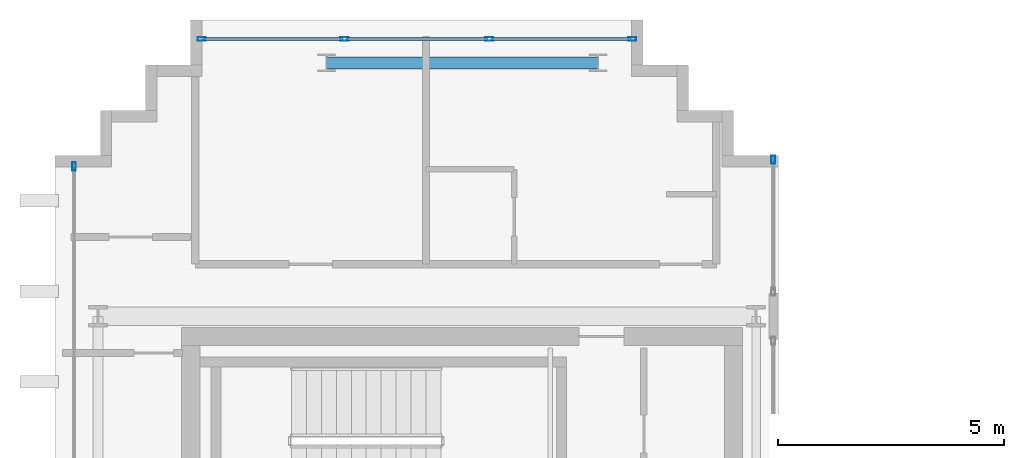
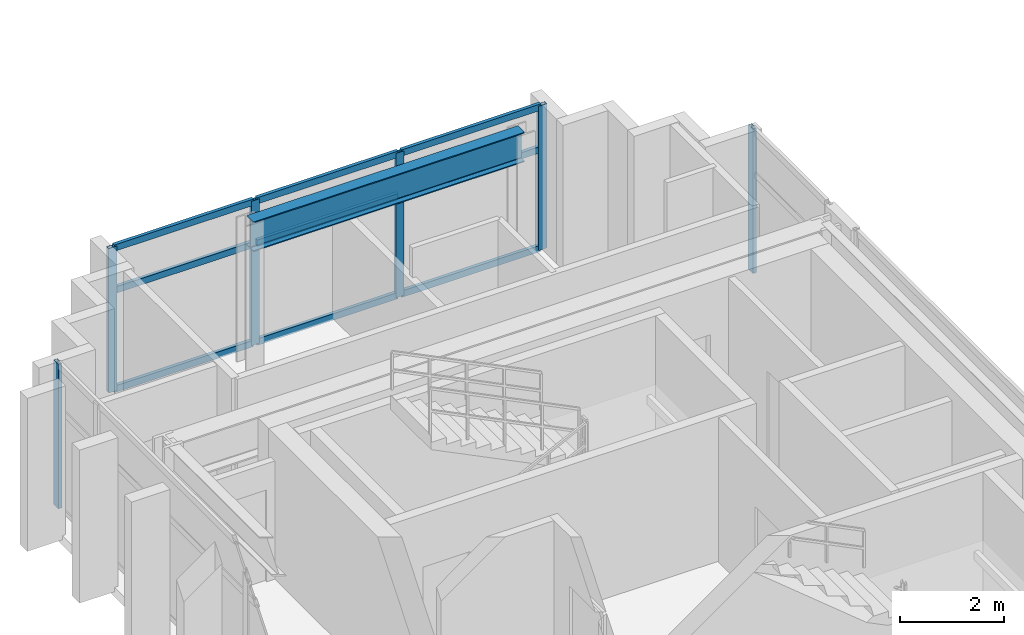
# One storey, part 16 of 25: 15 members, 1 beam, 3 elements without a shape of their own.
"""IFC4 building model written with IfcOpenShell, lengths in metres."""

from ifc_helpers import new_model, si_unit, direction, frame, origin, origin_2d, place, context, subcontext, project, spatial, hollow_rectangle, i_section, extrude, source, transform, mapped, material, layer, layer_set, material_profile, profile_set, type_object, element, aggregate, save


model = new_model("IFC4")

# Units and contexts
model_context = context("Model", 3, precision=1e-05, world=origin(), true_north=direction((0.0, 1.0)))
body_context = subcontext(model_context, "Body", "Model", "MODEL_VIEW")
ifc_project = project(units=[si_unit("LENGTHUNIT", "METRE"), si_unit("AREAUNIT", "SQUARE_METRE"), si_unit("VOLUMEUNIT", "CUBIC_METRE"), si_unit("PLANEANGLEUNIT", "RADIAN"), si_unit("MASSUNIT", "GRAM", prefix="KILO")], contexts=[model_context])

# Site, building, storey
site_placement = place(None, origin())
site = spatial("IfcSite", under=ifc_project, at=site_placement, CompositionType="ELEMENT")
building_placement = place(site_placement, origin())
building = spatial("IfcBuilding", under=site, at=building_placement, Name="Ocotamira Hotel", CompositionType="ELEMENT")
storey_placement = place(building_placement, frame((0.0, 0.0, 258.0)))
storey = spatial("IfcBuildingStorey", under=building, at=storey_placement, Name="L65", CompositionType="ELEMENT", Elevation=258.0)

# Beam
ifc_material_1 = material(Name="Steel ASTM A992 Grade 50", Category="steel")
ifc_material_profile_1 = material_profile(ifc_material_1, i_section(OverallWidth=0.256103515625, OverallDepth=0.693115234375, WebThickness=0.014404296875, FlangeThickness=0.023681640625, FilletRadius=0.01611328125, at=origin_2d()), Name="W27X114")
ifc_profile_set_1 = profile_set([ifc_material_profile_1], Name="Steel ASTM A992 Grade 50")
beam_type = type_object("IfcBeamType", Name="BM-PRIM-W27X114", PredefinedType="BEAM", material=ifc_profile_set_1)
shared_shape_1 = source(origin(), body_context, "Body", "SweptSolid", [
    extrude(i_section(OverallWidth=0.256103515625, OverallDepth=0.693115234375, WebThickness=0.014404296875, FlangeThickness=0.023681640625, FilletRadius=0.01611328125, at=origin_2d()), origin(), (0.0, 0.0, 1.0), 6.0),
])
beam_placement = place(storey_placement, frame((14.0, 43.050048828125, 3.033447265625), z_axis=(1.0, 0.0, 0.0), x_axis=(0.0, 1.0, 0.0)))
element("IfcBeam", 1, at=beam_placement, inside=storey, type_object=beam_type, Name="L65 Girder Y43.05 X14-20", PredefinedType="BEAM", context=body_context, shape_type="MappedRepresentation", body=[
    mapped(shared_shape_1, transform((0.0, 0.0, 0.0), scale=1.0)),
])

# Curtain wall, members
ifc_material_2 = material(Name="Anodised pale-metal aluminium and solar glass", Category="aluminium")
ifc_layer = layer(ifc_material_2, 0.2099609375)
ifc_layer_set = layer_set([ifc_layer], Name="Anodised pale-metal aluminium and solar glass")
curtain_wall_type = type_object("IfcCurtainWallType", Name="CW-SYS7-PEAK", PredefinedType="NOTDEFINED", material=ifc_layer_set)
curtain_wall_1_placement = place(storey_placement, origin())
curtain_wall_1 = element("IfcCurtainWall", 2, at=curtain_wall_1_placement, inside=storey, type_object=curtain_wall_type, Name="L65 Curtain Wall CW-7 CW-L65-WN", PredefinedType="NOTDEFINED")
ifc_material_3 = material(Name="Anodised pale-metal aluminium 6063-T6", Category="aluminium")
ifc_material_profile_2 = material_profile(ifc_material_3, hollow_rectangle(XDim=0.080078125, YDim=0.179931640625, WallThickness=0.006103515625, at=origin_2d()), Name="HSS180X80X6")
ifc_profile_set_2 = profile_set([ifc_material_profile_2], Name="Anodised pale-metal aluminium 6063-T6")
member_type_1 = type_object("IfcMemberType", Name="CWM-180X75", PredefinedType="MULLION", material=ifc_profile_set_2)
shared_shape_2 = source(origin(), body_context, "Body", "SweptSolid", [
    extrude(hollow_rectangle(XDim=0.080078125, YDim=0.179931640625, WallThickness=0.006103515625, at=origin_2d()), origin(), (0.0, 0.0, 1.0), 3.3798828125),
])
member_1_placement = place(storey_placement, frame((11.239990234375, 43.580078125, 0.0), z_axis=(0.0, 0.0, 1.0), x_axis=(0.0, 1.0, 0.0)))
member_1 = element("IfcMember", 3, at=member_1_placement, type_object=member_type_1, Name="CW-7 mullion 1", PredefinedType="MULLION", context=body_context, shape_type="MappedRepresentation", body=[
    mapped(shared_shape_2, transform((0.0, 0.0, 0.0), scale=1.0)),
])
member_2_placement = place(storey_placement, frame((14.39990234375, 43.580078125, 0.0), z_axis=(0.0, 0.0, 1.0), x_axis=(0.0, 1.0, 0.0)))
member_2 = element("IfcMember", 4, at=member_2_placement, type_object=member_type_1, Name="CW-7 mullion 2", PredefinedType="MULLION", context=body_context, shape_type="MappedRepresentation", body=[
    mapped(shared_shape_2, transform((0.0, 0.0, 0.0), scale=1.0)),
])
member_3_placement = place(storey_placement, frame((17.60009765625, 43.580078125, 0.0), z_axis=(0.0, 0.0, 1.0), x_axis=(0.0, 1.0, 0.0)))
member_3 = element("IfcMember", 5, at=member_3_placement, type_object=member_type_1, Name="CW-7 mullion 3", PredefinedType="MULLION", context=body_context, shape_type="MappedRepresentation", body=[
    mapped(shared_shape_2, transform((0.0, 0.0, 0.0), scale=1.0)),
])
member_4_placement = place(storey_placement, frame((20.760009765625, 43.580078125, 0.0), z_axis=(0.0, 0.0, 1.0), x_axis=(0.0, 1.0, 0.0)))
member_4 = element("IfcMember", 6, at=member_4_placement, type_object=member_type_1, Name="CW-7 mullion 4", PredefinedType="MULLION", context=body_context, shape_type="MappedRepresentation", body=[
    mapped(shared_shape_2, transform((0.0, 0.0, 0.0), scale=1.0)),
])

# Curtain wall, member
curtain_wall_2_placement = place(storey_placement, origin())
curtain_wall_2 = element("IfcCurtainWall", 7, at=curtain_wall_2_placement, inside=storey, type_object=curtain_wall_type, Name="L65 Curtain Wall CW-7 CW-L65-WO2", PredefinedType="NOTDEFINED")
member_5_placement = place(storey_placement, frame((8.419921875, 40.760009765625, 0.0), z_axis=(0.0, 0.0, 1.0), x_axis=(-1.0, 0.0, 0.0)))
member_5 = element("IfcMember", 8, at=member_5_placement, type_object=member_type_1, Name="CW-7 mullion 3", PredefinedType="MULLION", context=body_context, shape_type="MappedRepresentation", body=[
    mapped(shared_shape_2, transform((0.0, 0.0, 0.0), scale=1.0)),
])
aggregate(curtain_wall_2, [member_5])

curtain_wall_3_placement = place(storey_placement, origin())
curtain_wall_3 = element("IfcCurtainWall", 9, at=curtain_wall_3_placement, inside=storey, type_object=curtain_wall_type, Name="L65 Curtain Wall CW-7 CW-L65-WI4", PredefinedType="NOTDEFINED")
member_6_placement = place(storey_placement, frame((23.8798828125, 40.909912109375, 0.0), z_axis=(0.0, 0.0, 1.0), x_axis=(-1.0, 0.0, 0.0)))
member_6 = element("IfcMember", 10, at=member_6_placement, type_object=member_type_1, Name="CW-7 mullion 2", PredefinedType="MULLION", context=body_context, shape_type="MappedRepresentation", body=[
    mapped(shared_shape_2, transform((0.0, 0.0, 0.0), scale=1.0)),
])
aggregate(curtain_wall_3, [member_6])

# Member
ifc_material_profile_3 = material_profile(ifc_material_3, hollow_rectangle(XDim=0.074951171875, YDim=0.14990234375, WallThickness=0.006103515625, at=origin_2d()), Name="HSS150X75X6")
ifc_profile_set_3 = profile_set([ifc_material_profile_3], Name="Anodised pale-metal aluminium 6063-T6")
member_type_2 = type_object("IfcMemberType", Name="CWT-150X75", PredefinedType="USERDEFINED", material=ifc_profile_set_3)
shared_shape_3 = source(origin(), body_context, "Body", "SweptSolid", [
    extrude(hollow_rectangle(XDim=0.074951171875, YDim=0.14990234375, WallThickness=0.006103515625, at=origin_2d()), origin(), (0.0, 0.0, 1.0), 3.080078125),
])
member_7_placement = place(storey_placement, frame((11.280029296875, 43.580078125, 0.03759765625), z_axis=(1.0, 0.0, 0.0), x_axis=(0.0, 1.0, 0.0)))
member_7 = element("IfcMember", 11, at=member_7_placement, type_object=member_type_2, Name="CW-7 transom 1.1", ObjectType="TRANSOM", PredefinedType="USERDEFINED", context=body_context, shape_type="MappedRepresentation", body=[
    mapped(shared_shape_3, transform((0.0, 0.0, 0.0), scale=1.0)),
])

member_8_placement = place(storey_placement, frame((11.280029296875, 43.580078125, 2.35009765625), z_axis=(1.0, 0.0, 0.0), x_axis=(0.0, 1.0, 0.0)))
member_8 = element("IfcMember", 12, at=member_8_placement, type_object=member_type_2, Name="CW-7 transom 1.2", ObjectType="TRANSOM", PredefinedType="USERDEFINED", context=body_context, shape_type="MappedRepresentation", body=[
    mapped(shared_shape_3, transform((0.0, 0.0, 0.0), scale=1.0)),
])

member_9_placement = place(storey_placement, frame((11.280029296875, 43.580078125, 3.342529296875), z_axis=(1.0, 0.0, 0.0), x_axis=(0.0, 1.0, 0.0)))
member_9 = element("IfcMember", 13, at=member_9_placement, type_object=member_type_2, Name="CW-7 transom 1.3", ObjectType="TRANSOM", PredefinedType="USERDEFINED", context=body_context, shape_type="MappedRepresentation", body=[
    mapped(shared_shape_3, transform((0.0, 0.0, 0.0), scale=1.0)),
])

member_10_placement = place(storey_placement, frame((17.639892578125, 43.580078125, 0.03759765625), z_axis=(1.0, 0.0, 0.0), x_axis=(0.0, 1.0, 0.0)))
member_10 = element("IfcMember", 14, at=member_10_placement, type_object=member_type_2, Name="CW-7 transom 3.1", ObjectType="TRANSOM", PredefinedType="USERDEFINED", context=body_context, shape_type="MappedRepresentation", body=[
    mapped(shared_shape_3, transform((0.0, 0.0, 0.0), scale=1.0)),
])

member_11_placement = place(storey_placement, frame((17.639892578125, 43.580078125, 2.35009765625), z_axis=(1.0, 0.0, 0.0), x_axis=(0.0, 1.0, 0.0)))
member_11 = element("IfcMember", 15, at=member_11_placement, type_object=member_type_2, Name="CW-7 transom 3.2", ObjectType="TRANSOM", PredefinedType="USERDEFINED", context=body_context, shape_type="MappedRepresentation", body=[
    mapped(shared_shape_3, transform((0.0, 0.0, 0.0), scale=1.0)),
])

member_12_placement = place(storey_placement, frame((17.639892578125, 43.580078125, 3.342529296875), z_axis=(1.0, 0.0, 0.0), x_axis=(0.0, 1.0, 0.0)))
member_12 = element("IfcMember", 16, at=member_12_placement, type_object=member_type_2, Name="CW-7 transom 3.3", ObjectType="TRANSOM", PredefinedType="USERDEFINED", context=body_context, shape_type="MappedRepresentation", body=[
    mapped(shared_shape_3, transform((0.0, 0.0, 0.0), scale=1.0)),
])

shared_shape_4 = source(origin(), body_context, "Body", "SweptSolid", [
    extrude(hollow_rectangle(XDim=0.074951171875, YDim=0.14990234375, WallThickness=0.006103515625, at=origin_2d()), origin(), (0.0, 0.0, 1.0), 3.1201171875),
])
member_13_placement = place(storey_placement, frame((14.43994140625, 43.580078125, 0.03759765625), z_axis=(1.0, 0.0, 0.0), x_axis=(0.0, 1.0, 0.0)))
member_13 = element("IfcMember", 17, at=member_13_placement, type_object=member_type_2, Name="CW-7 transom 2.1", ObjectType="TRANSOM", PredefinedType="USERDEFINED", context=body_context, shape_type="MappedRepresentation", body=[
    mapped(shared_shape_4, transform((0.0, 0.0, 0.0), scale=1.0)),
])

member_14_placement = place(storey_placement, frame((14.43994140625, 43.580078125, 2.35009765625), z_axis=(1.0, 0.0, 0.0), x_axis=(0.0, 1.0, 0.0)))
member_14 = element("IfcMember", 18, at=member_14_placement, type_object=member_type_2, Name="CW-7 transom 2.2", ObjectType="TRANSOM", PredefinedType="USERDEFINED", context=body_context, shape_type="MappedRepresentation", body=[
    mapped(shared_shape_4, transform((0.0, 0.0, 0.0), scale=1.0)),
])

member_15_placement = place(storey_placement, frame((14.43994140625, 43.580078125, 3.342529296875), z_axis=(1.0, 0.0, 0.0), x_axis=(0.0, 1.0, 0.0)))
member_15 = element("IfcMember", 19, at=member_15_placement, type_object=member_type_2, Name="CW-7 transom 2.3", ObjectType="TRANSOM", PredefinedType="USERDEFINED", context=body_context, shape_type="MappedRepresentation", body=[
    mapped(shared_shape_4, transform((0.0, 0.0, 0.0), scale=1.0)),
])

aggregate(curtain_wall_1, [member_1, member_2, member_3, member_4, member_7, member_8, member_9, member_13, member_14, member_15, member_10, member_11, member_12])

save(model, "model.ifc")
